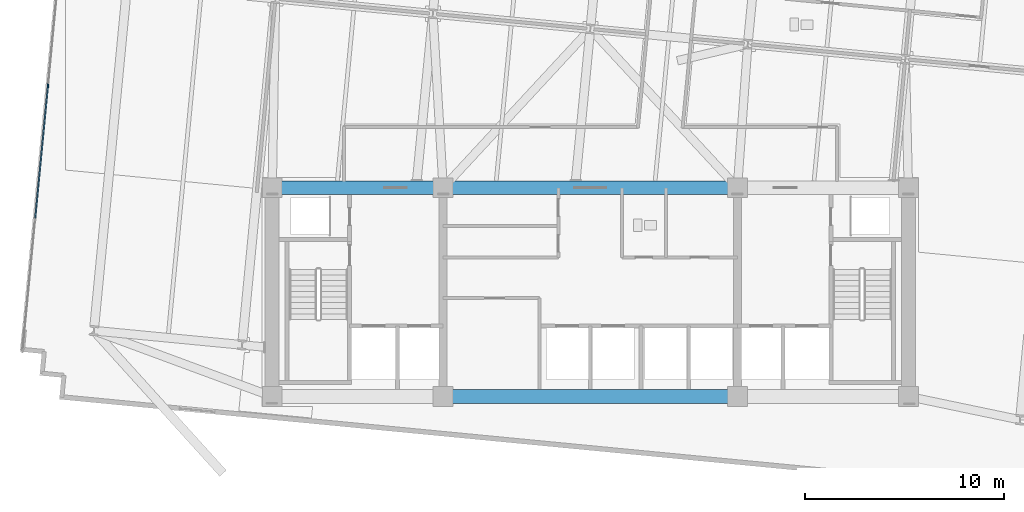
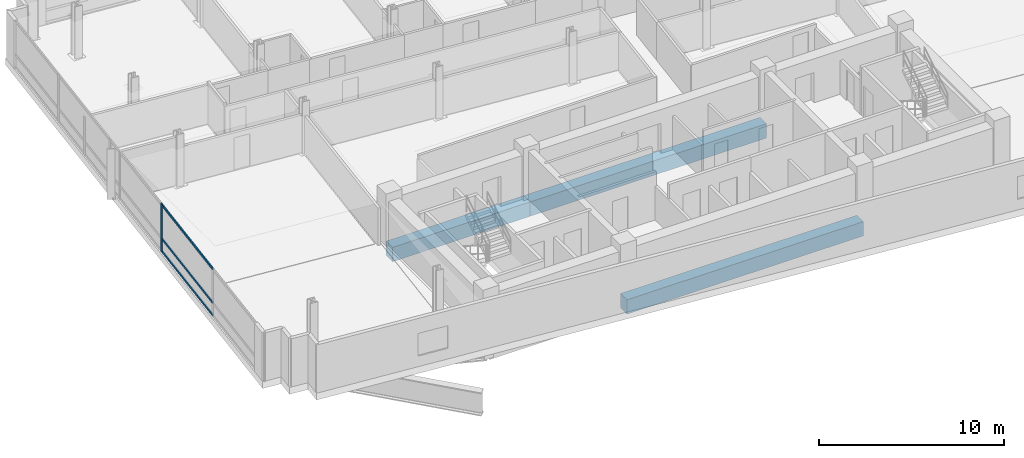
# One storey, part 3 of 18: 4 members, 3 beams, 1 element without a shape of its own.
"""IFC4 building model written with IfcOpenShell, lengths in metres."""

import ifcopenshell
import ifcopenshell.guid

model = None  # the IFC model being written
_history = None  # IfcOwnerHistory: only IFC2X3 demands one
_inside = {}  # id of a spatial element -> (the spatial element, [elements in it])
_under = {}  # id of a project, library or spatial element -> (it, [spatial elements below it])
_declared = {}  # id of a project -> (the project, [libraries it declares])
_typed = {}  # id of a type object -> (the type object, [elements of that type])
_made_of = {}  # id of a material, layer set ... -> (it, [elements and type objects made of it])


def new_model(schema):
    """Start an empty IFC model of exactly this schema.

    Asked for "IFC4X3", IfcOpenShell would pick the latest addendum, in which some entities
    have other attributes; the version numbers below select the first issue.
    IFC2X3 requires an IfcOwnerHistory on every rooted entity: one is made here for all.
    """
    global model, _history
    if schema == "IFC4X3":
        model = ifcopenshell.file(schema_version=(4, 3, 0, 0))
    else:
        model = ifcopenshell.file(schema=schema)
    _inside.clear()
    _under.clear()
    _declared.clear()
    _typed.clear()
    _made_of.clear()
    _history = None
    if model.schema == "IFC2X3":
        org = make("IfcOrganization", Name="unknown")
        user = make(
            "IfcPersonAndOrganization",
            ThePerson=make("IfcPerson", FamilyName="unknown"),
            TheOrganization=org,
        )
        app = make(
            "IfcApplication",
            ApplicationDeveloper=org,
            Version="unknown",
            ApplicationFullName="unknown",
            ApplicationIdentifier="unknown",
        )
        _history = make(
            "IfcOwnerHistory",
            OwningUser=user,
            OwningApplication=app,
            ChangeAction="ADDED",
            CreationDate=0,
        )
    return model


def make(cls, **values):
    """One entity of the class cls with the attributes given. An attribute that is None is left unset."""
    return model.create_entity(
        cls, **{name: value for name, value in values.items() if value is not None}
    )


def rooted(cls, **values):
    """An entity with a GlobalId (a new one), such as an element, a storey or a relation."""
    return make(cls, GlobalId=ifcopenshell.guid.new(), OwnerHistory=_history, **values)


def si_unit(unit_type, name, prefix=None):
    """IfcSIUnit, for example si_unit("LENGTHUNIT", "METRE", prefix="MILLI")."""
    return make("IfcSIUnit", UnitType=unit_type, Prefix=prefix, Name=name)


def assignment(units):
    """IfcUnitAssignment: the units of a project."""
    return None if units is None else make("IfcUnitAssignment", Units=units)


def point(xyz):
    """IfcCartesianPoint."""
    return None if xyz is None else make("IfcCartesianPoint", Coordinates=xyz)


def direction(xyz):
    """IfcDirection."""
    return None if xyz is None else make("IfcDirection", DirectionRatios=xyz)


def frame(location, z_axis=None, x_axis=None):
    """IfcAxis2Placement3D, a coordinate frame: its origin and axes. An axis left out is left unset."""
    return make(
        "IfcAxis2Placement3D",
        Location=point(location),
        Axis=direction(z_axis),
        RefDirection=direction(x_axis),
    )


def frame_2d(location, x_axis=None):
    """IfcAxis2Placement2D, a coordinate frame in the plane: its origin and x axis."""
    return make(
        "IfcAxis2Placement2D", Location=point(location), RefDirection=direction(x_axis)
    )


def origin():
    """The frame at (0, 0, 0) with its axes left unset."""
    return frame((0.0, 0.0, 0.0))


def origin_2d():
    """The frame at (0, 0) in the plane with its x axis left unset."""
    return frame_2d((0.0, 0.0))


def place(relative_to, where):
    """IfcLocalPlacement: puts the frame where relative to a parent placement (None: the world)."""
    return make(
        "IfcLocalPlacement", PlacementRelTo=relative_to, RelativePlacement=where
    )


def context(
    kind, dimensions, precision=None, world=None, true_north=None, identifier=None
):
    """IfcGeometricRepresentationContext, for example the 3D "Model" context."""
    return make(
        "IfcGeometricRepresentationContext",
        ContextIdentifier=identifier,
        ContextType=kind,
        CoordinateSpaceDimension=dimensions,
        Precision=precision,
        WorldCoordinateSystem=world,
        TrueNorth=true_north,
    )


def subcontext(parent, identifier, kind, view, scale=None):
    """IfcGeometricRepresentationSubContext, for example "Body" below "Model"."""
    return make(
        "IfcGeometricRepresentationSubContext",
        ContextIdentifier=identifier,
        ContextType=kind,
        ParentContext=parent,
        TargetScale=scale,
        TargetView=view,
    )


def project(units=None, contexts=None):
    """IfcProject with its units and contexts."""
    return rooted(
        "IfcProject",
        Name="project",
        RepresentationContexts=contexts,
        UnitsInContext=assignment(units),
    )


def spatial(cls, under=None, at=None, **own):
    """A site, building, storey or space (cls), placed at a placement, below another one or the project."""
    s = rooted(cls, ObjectPlacement=at, **own)
    if under is not None:
        _under.setdefault(under.id(), (under, []))[1].append(s)
    return s


def profile(cls, at=None, kind="AREA", **sizes):
    """A parametric profile (cls). Its sizes go by their IFC names, for example OverallWidth=200.0."""
    return make(cls, ProfileType=kind, Position=at, **sizes)


def rectangle(**sizes):
    """IfcRectangleProfileDef."""
    return profile("IfcRectangleProfileDef", **sizes)


def extrude(swept, where, along, depth):
    """IfcExtrudedAreaSolid: the profile swept, set in the frame where, extruded along a direction by depth."""
    return make(
        "IfcExtrudedAreaSolid",
        SweptArea=swept,
        Position=where,
        ExtrudedDirection=direction(along),
        Depth=depth,
    )


def shape(context_of_items, identifier, shape_type, items):
    """IfcShapeRepresentation: the items that make up one representation, for example the "Body"."""
    return make(
        "IfcShapeRepresentation",
        ContextOfItems=context_of_items,
        RepresentationIdentifier=identifier,
        RepresentationType=shape_type,
        Items=items,
    )


def material(Name=None, Category=None):
    """IfcMaterial."""
    return make("IfcMaterial", Name=Name, Category=Category)


def material_profile(
    of_material, cross_section, Name=None, Category=None, Priority=None
):
    """IfcMaterialProfile: a cross section and its material."""
    return make(
        "IfcMaterialProfile",
        Name=Name,
        Material=of_material,
        Profile=cross_section,
        Priority=Priority,
        Category=Category,
    )


def profile_set(profiles, Name=None, composite=None):
    """IfcMaterialProfileSet."""
    return make(
        "IfcMaterialProfileSet",
        Name=Name,
        MaterialProfiles=profiles,
        CompositeProfile=composite,
    )


def made_of(thing, what):
    """Note that an element or type object is made of a material, layer set ...; save() writes the relation."""
    if what is not None:
        _made_of.setdefault(what.id(), (what, []))[1].append(thing)
    return thing


def type_object(cls, material=None, **own):
    """A type object (cls), such as IfcWallType, which elements share."""
    return made_of(rooted(cls, **own), material)


def element(
    cls,
    number,
    at=None,
    inside=None,
    cuts=None,
    type_object=None,
    material=None,
    context=None,
    identifier="Body",
    shape_type=None,
    held_by="IfcProductDefinitionShape",
    body=None,
    shapes=None,
    **own,
):
    """One element of the class cls, such as IfcWall. Its Tag is "e" and its number.

    at: its placement. inside: the storey or other place that contains it. cuts: it is an
    opening in that element (IfcRelVoidsElement). A single representation is given by context,
    identifier, shape_type and body (its items); several are given by shapes. held_by: the class
    of the entity that holds the representations. save() writes the other relations.
    """
    e = rooted(cls, Tag="e%d" % number, ObjectPlacement=at, **own)
    if body is not None:
        shapes = [shape(context, identifier, shape_type, body)]
    if shapes is not None:
        e.Representation = make(held_by, Representations=shapes)
    if inside is not None:
        _inside.setdefault(inside.id(), (inside, []))[1].append(e)
    if cuts is not None:
        rooted(
            "IfcRelVoidsElement", RelatingBuildingElement=cuts, RelatedOpeningElement=e
        )
    if type_object is not None:
        _typed.setdefault(type_object.id(), (type_object, []))[1].append(e)
    return made_of(e, material)


def aggregate(whole, parts):
    """IfcRelAggregates: a whole, such as a stair, and the parts it consists of."""
    return rooted("IfcRelAggregates", RelatingObject=whole, RelatedObjects=parts)


def save(model, path):
    """Write the relations noted so far, then the file.

    IfcRelAggregates (storeys below a building ...), IfcRelContainedInSpatialStructure (elements
    in a storey), IfcRelDefinesByType, IfcRelAssociatesMaterial and IfcRelDeclares: one each for
    every whole, place, type object, material and project.
    """
    for whole, parts in _under.values():
        aggregate(whole, parts)
    for where, things in _inside.values():
        rooted(
            "IfcRelContainedInSpatialStructure",
            RelatedElements=things,
            RelatingStructure=where,
        )
    for kind, things in _typed.values():
        rooted("IfcRelDefinesByType", RelatedObjects=things, RelatingType=kind)
    for what, things in _made_of.values():
        rooted("IfcRelAssociatesMaterial", RelatedObjects=things, RelatingMaterial=what)
    for by, libraries in _declared.values():
        rooted("IfcRelDeclares", RelatingContext=by, RelatedDefinitions=libraries)
    model.write(path)


model = new_model("IFC4")

# Units and contexts
model_context = context("Model", 3, precision=1e-05, world=origin(), true_north=direction((0.0, 1.0)))
body_context = subcontext(model_context, "Body", "Model", "MODEL_VIEW")
ifc_project = project(units=[si_unit("LENGTHUNIT", "METRE"), si_unit("AREAUNIT", "SQUARE_METRE"), si_unit("VOLUMEUNIT", "CUBIC_METRE"), si_unit("PLANEANGLEUNIT", "RADIAN"), si_unit("MASSUNIT", "GRAM", prefix="KILO")], contexts=[model_context])

# Site, building, storey
site_placement = place(None, origin())
site = spatial("IfcSite", under=ifc_project, at=site_placement, CompositionType="ELEMENT")
building_placement = place(site_placement, origin())
building = spatial("IfcBuilding", under=site, at=building_placement, Name="Solmavex Isthmus Hotel", CompositionType="ELEMENT")
storey_placement = place(building_placement, frame((0.0, 0.0, 135.89990234375)))
storey = spatial("IfcBuildingStorey", under=building, at=storey_placement, Name="L36", CompositionType="ELEMENT", Elevation=135.89990234375)

# Beams
ifc_material_1 = material(Name="Concrete C60/75", Category="concrete")
ifc_material_profile_1 = material_profile(ifc_material_1, rectangle(XDim=0.699951171875, YDim=0.949951171875, at=origin_2d()), Name="RC700X950")
ifc_profile_set_1 = profile_set([ifc_material_profile_1], Name="Concrete C60/75")
beam_type = type_object("IfcBeamType", Name="BM-CB-700X950", PredefinedType="BEAM", material=ifc_profile_set_1)
beam_1_placement = place(storey_placement, frame((-7.39990234375, -13.0, -0.9248046875), z_axis=(1.0, 0.0, 0.0), x_axis=(0.0, 1.0, 0.0)))
element("IfcBeam", 1, at=beam_1_placement, inside=storey, type_object=beam_type, Name="Core Coupling Beam L36-CB2", PredefinedType="BEAM", context=body_context, shape_type="SweptSolid", body=[
    extrude(rectangle(XDim=0.699951171875, YDim=0.949951171875, at=origin_2d()), origin(), (0.0, 0.0, 1.0), 14.7998046875),
])
beam_2_placement = place(storey_placement, frame((-16.0, -2.5, -0.81494140625), z_axis=(1.0, 0.0, 0.0), x_axis=(0.0, 1.0, 0.0)))
element("IfcBeam", 2, at=beam_2_placement, inside=storey, type_object=beam_type, Name="Core Coupling Beam L36-CB4", PredefinedType="BEAM", context=body_context, shape_type="SweptSolid", body=[
    extrude(rectangle(XDim=0.699951171875, YDim=0.949951171875, at=origin_2d()), origin(), (0.0, 0.0, 1.0), 8.60009765625),
])
beam_3_placement = place(storey_placement, frame((-7.39990234375, -2.5, -0.81494140625), z_axis=(1.0, 0.0, 0.0), x_axis=(0.0, 1.0, 0.0)))
element("IfcBeam", 3, at=beam_3_placement, inside=storey, type_object=beam_type, Name="Core Coupling Beam L36-CB5", PredefinedType="BEAM", context=body_context, shape_type="SweptSolid", body=[
    extrude(rectangle(XDim=0.699951171875, YDim=0.949951171875, at=origin_2d()), origin(), (0.0, 0.0, 1.0), 14.7998046875),
])

# Curtain wall, members
ifc_material_2 = material(Name="Aluminium alloy 6063-T6", Category="aluminium")
curtain_wall_type = type_object("IfcCurtainWallType", Name="CW-SYS-03", PredefinedType="NOTDEFINED", material=ifc_material_2)
curtain_wall_placement = place(storey_placement, origin())
curtain_wall = element("IfcCurtainWall", 4, at=curtain_wall_placement, inside=storey, type_object=curtain_wall_type, Name="Stick Curtain Wall CWL-L36-W1", PredefinedType="NOTDEFINED")
ifc_material_profile_2 = material_profile(ifc_material_2, rectangle(XDim=0.070068359375, YDim=0.179931640625, at=origin_2d()), Name="CWM-70X180")
ifc_profile_set_2 = profile_set([ifc_material_profile_2], Name="Aluminium alloy 6063-T6")
member_type_1 = type_object("IfcMemberType", Name="CW-SYS-03-MUL", PredefinedType="MULLION", material=ifc_profile_set_2)
member_1_placement = place(storey_placement, frame((-27.2783203125, 2.6318359375, 0.0), z_axis=(0.0, 0.0, 1.0), x_axis=(-0.995396190038, 0.09584583902, 0.0)))
member_1 = element("IfcMember", 5, at=member_1_placement, type_object=member_type_1, Name="CW-03 mullion 3", PredefinedType="MULLION", context=body_context, shape_type="SweptSolid", body=[
    extrude(rectangle(XDim=0.070068359375, YDim=0.179931640625, at=origin_2d()), origin(), (0.0, 0.0, 1.0), 3.190185546875),
])
ifc_material_profile_3 = material_profile(ifc_material_2, rectangle(XDim=0.070068359375, YDim=0.139892578125, at=origin_2d()), Name="CWT-70X140")
ifc_profile_set_3 = profile_set([ifc_material_profile_3], Name="Aluminium alloy 6063-T6")
member_type_2 = type_object("IfcMemberType", Name="CW-SYS-03-TRN", PredefinedType="USERDEFINED", material=ifc_profile_set_3)
member_2_placement = place(storey_placement, frame((-27.9189453125, -4.0224609375, 0.070068359375), z_axis=(0.095820836451, 0.995398597197, 0.0), x_axis=(-0.995398597197, 0.095820836451, 0.0)))
member_2 = element("IfcMember", 6, at=member_2_placement, type_object=member_type_2, Name="CW-03 transom 2.1", ObjectType="TRANSOM", PredefinedType="USERDEFINED", context=body_context, shape_type="SweptSolid", body=[
    extrude(rectangle(XDim=0.070068359375, YDim=0.139892578125, at=origin_2d()), origin(), (0.0, 0.0, 1.0), 6.64990234375),
])
member_3_placement = place(storey_placement, frame((-27.9189453125, -4.0224609375, 0.900146484375), z_axis=(0.095820836451, 0.995398597197, 0.0), x_axis=(-0.995398597197, 0.095820836451, 0.0)))
member_3 = element("IfcMember", 7, at=member_3_placement, type_object=member_type_2, Name="CW-03 transom 2.2", ObjectType="TRANSOM", PredefinedType="USERDEFINED", context=body_context, shape_type="SweptSolid", body=[
    extrude(rectangle(XDim=0.070068359375, YDim=0.139892578125, at=origin_2d()), origin(), (0.0, 0.0, 1.0), 6.64990234375),
])
member_4_placement = place(storey_placement, frame((-27.9189453125, -4.0224609375, 3.1201171875), z_axis=(0.095820836451, 0.995398597197, 0.0), x_axis=(-0.995398597197, 0.095820836451, 0.0)))
member_4 = element("IfcMember", 8, at=member_4_placement, type_object=member_type_2, Name="CW-03 transom 2.3", ObjectType="TRANSOM", PredefinedType="USERDEFINED", context=body_context, shape_type="SweptSolid", body=[
    extrude(rectangle(XDim=0.070068359375, YDim=0.139892578125, at=origin_2d()), origin(), (0.0, 0.0, 1.0), 6.64990234375),
])
aggregate(curtain_wall, [member_1, member_2, member_3, member_4])

save(model, "model.ifc")
